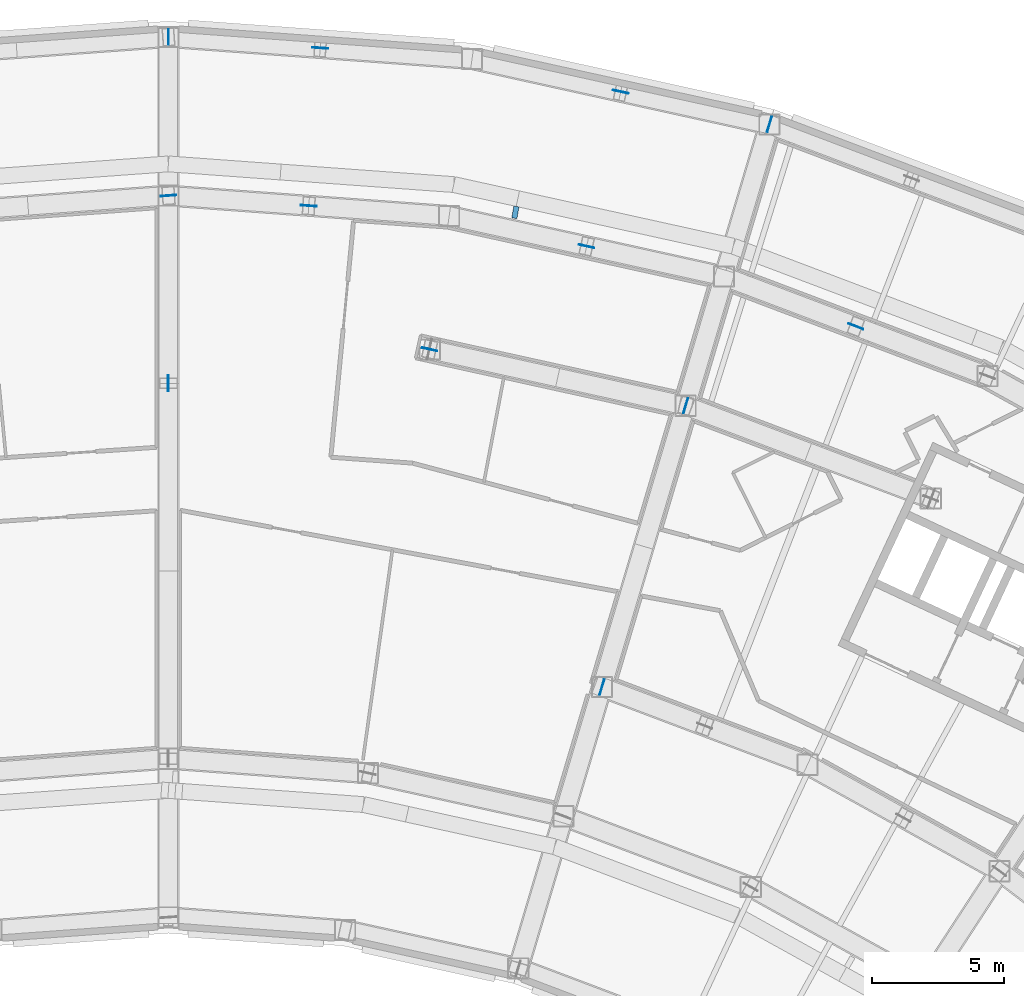
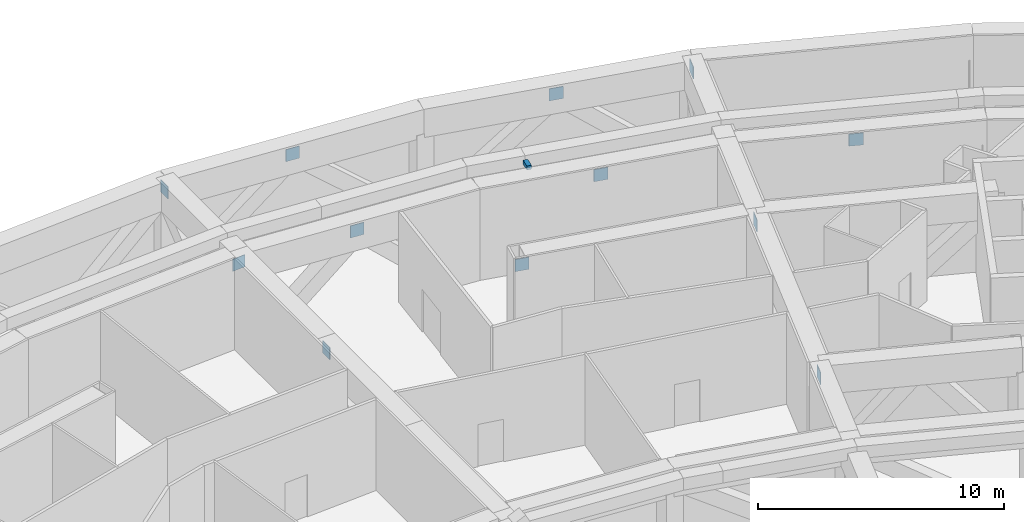
# One storey, part 25 of 30: 13 discrete accessories.
"""IFC4 building model written with IfcOpenShell, lengths in metres."""

from ifc_helpers import new_model, si_unit, direction, frame, origin, origin_2d, place, context, subcontext, project, spatial, rectangle, extrude, material, type_object, element, save


model = new_model("IFC4")

# Units and contexts
model_context = context("Model", 3, precision=1e-05, world=origin(), true_north=direction((0.0, 1.0)))
body_context = subcontext(model_context, "Body", "Model", "MODEL_VIEW")
ifc_project = project(units=[si_unit("LENGTHUNIT", "METRE"), si_unit("AREAUNIT", "SQUARE_METRE"), si_unit("VOLUMEUNIT", "CUBIC_METRE"), si_unit("PLANEANGLEUNIT", "RADIAN"), si_unit("MASSUNIT", "GRAM", prefix="KILO")], contexts=[model_context])

# Site, building, storey
site_placement = place(None, origin())
site = spatial("IfcSite", under=ifc_project, at=site_placement, CompositionType="ELEMENT")
building_placement = place(site_placement, origin())
building = spatial("IfcBuilding", under=site, at=building_placement, Name="Tuul Gate Civic Tower", CompositionType="ELEMENT")
storey_placement = place(building_placement, frame((0.0, 0.0, 26.699951171875)))
storey = spatial("IfcBuildingStorey", under=building, at=storey_placement, Name="Plant and refuge floor 1", CompositionType="ELEMENT", Elevation=26.699951171875)

# Discrete accessories
ifc_material_1 = material(Name="Steel S355", Category="steel")
discrete_accessory_type_1 = type_object("IfcDiscreteAccessoryType", Name="Gusset plate", PredefinedType="BRACKET", material=ifc_material_1)
for number, where, z_axis, x_axis, name in (
    (1, (19.6181640625, 5.927978515625, 3.50341796875), (0.0, 0.0, 1.0), (0.28519561857, 0.958469331355, 0.0), "Gusset plate"),
    (2, (16.444091796875, -4.739013671875, 3.50341796875), (0.0, 0.0, 1.0), (0.28519561857, 0.958469331355, 0.0), "Gusset plate"),
    (3, (0.001953125, 19.916015625, 3.503173828125), (0.0, 0.0, 1.0), (0.0, -1.0, 0.0), "Gusset plate"),
    (4, (0.0, 6.77978515625, 3.5029296875), (0.0, 0.0, 1.0), (0.0, 1.0, 0.0), "Gusset plate"),
    (5, (17.154052734375, 17.83740234375, 3.503173828125), (0.0, 0.0, 1.0), (0.976566621246, -0.215215320711, 0.0), "Gusset plate"),
    (6, (5.758056640625, 19.4970703125, 3.503173828125), (0.0, 0.0, 1.0), (0.997387871366, -0.072231807765, 0.0), "Gusset plate"),
    (7, (15.863037109375, 11.97802734375, 3.50341796875), (0.0, 0.0, 1.0), (0.97656894253, -0.215204787319, 0.0), "Gusset plate"),
    (8, (5.324462890625, 13.512451171875, 3.50341796875), (0.0, 0.0, 1.0), (0.997389294483, -0.072212154455, 0.0), "Gusset plate"),
    (9, (22.793212890625, 16.5986328125, 3.503173828125), (0.0, 0.0, 1.0), (-0.28519561857, -0.958469331355, 0.0), "Gusset plate"),
    (10, (26.073974609375, 8.939208984375, 3.50341796875), (0.0, 0.0, 1.0), (-0.935344056956, 0.35373930389, 0.0), "Gusset plate"),
    (11, (0.003662109375, 13.898193359375, 3.50341796875), (0.0, 0.0, 1.0), (-0.997389294483, -0.072212154455, 0.0), "Gusset plate"),
    (12, (9.908935546875, 8.06787109375, 3.50341796875), (0.0, 0.0, 1.0), (0.976565152543, -0.215221985028, 0.0), "Gusset plate"),
):
    element("IfcDiscreteAccessory", number, at=place(storey_placement, frame(where, z_axis=z_axis, x_axis=x_axis)), inside=storey, type_object=discrete_accessory_type_1, Name=name, PredefinedType="BRACKET", context=body_context, shape_type="SweptSolid", body=[
        extrude(rectangle(XDim=0.60009765625, YDim=0.030029296875, at=origin_2d()), origin(), (0.0, 0.0, 1.0), 0.60009765625),
    ])
ifc_material_2 = material(Name="Stainless steel", Category="steel")
discrete_accessory_type_2 = type_object("IfcDiscreteAccessoryType", Name="Screen bracket", PredefinedType="BRACKET", material=ifc_material_2)
discrete_accessory_placement = place(storey_placement, frame((13.15966796875, 13.26513671875, 4.35009765625), z_axis=(0.0, 0.0, 1.0), x_axis=(0.17682535462, 0.984242243537, 0.0)))
element("IfcDiscreteAccessory", 13, at=discrete_accessory_placement, inside=storey, type_object=discrete_accessory_type_2, Name="Screen bracket 7", PredefinedType="BRACKET", context=body_context, shape_type="SweptSolid", body=[
    extrude(rectangle(XDim=0.4501953125, YDim=0.199951171875, at=origin_2d()), origin(), (0.0, 0.0, 1.0), 0.199951171875),
])

save(model, "model.ifc")
